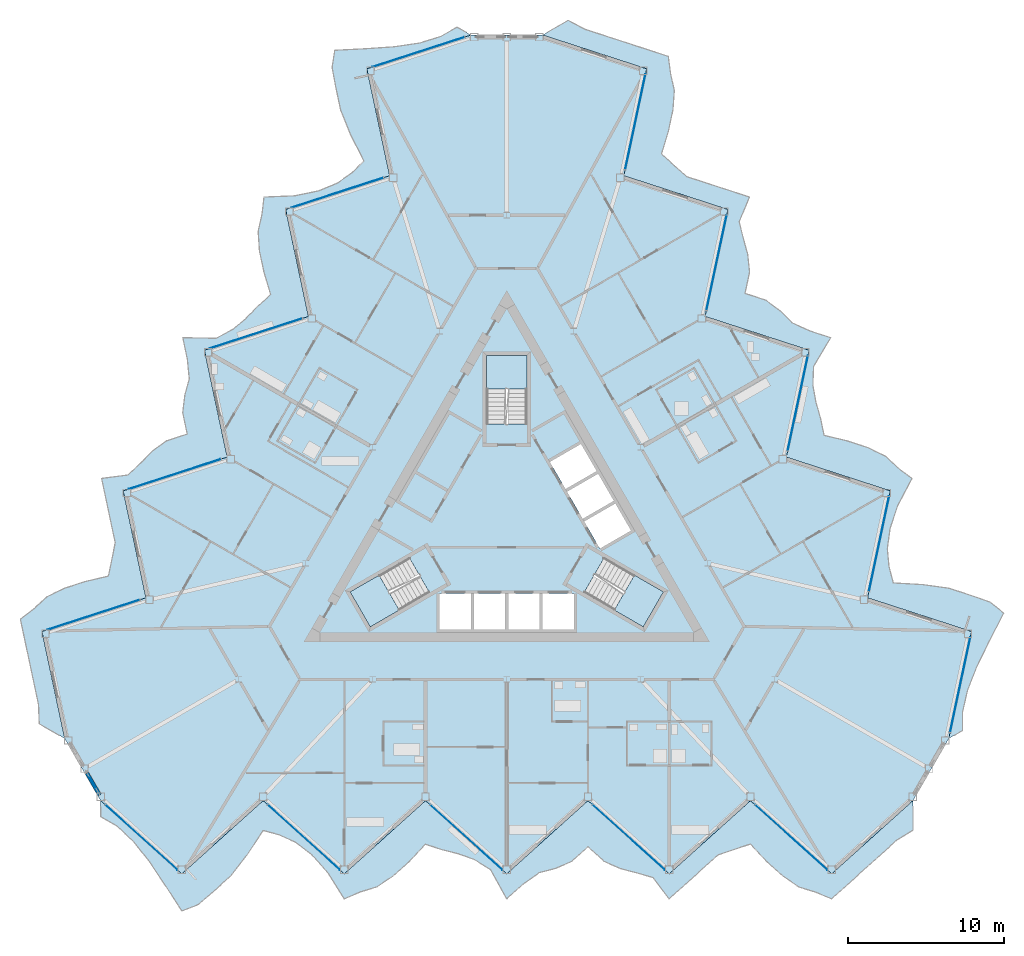
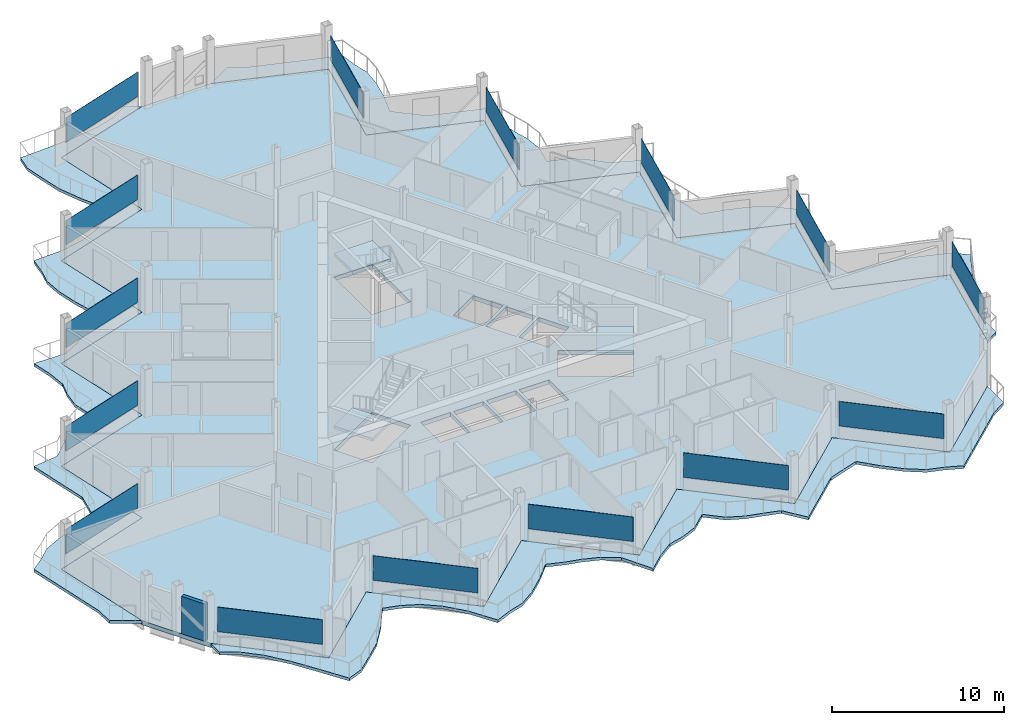
# One storey, part 11 of 25: 15 plates, 7 slabs, 1 wall, 18 elements without a shape of their own.
"""IFC4 building model written with IfcOpenShell, lengths in metres."""

from ifc_helpers import new_model, si_unit, direction, frame, frame_2d, origin, origin_2d, place, context, subcontext, project, spatial, polyline, rectangle, outline, extrude, material, layer, layer_set, type_object, element, aggregate, save


model = new_model("IFC4")

# Units and contexts
model_context = context("Model", 3, precision=1e-05, world=origin(), true_north=direction((0.0, 1.0)))
body_context = subcontext(model_context, "Body", "Model", "MODEL_VIEW")
ifc_project = project(units=[si_unit("LENGTHUNIT", "METRE"), si_unit("AREAUNIT", "SQUARE_METRE"), si_unit("VOLUMEUNIT", "CUBIC_METRE"), si_unit("PLANEANGLEUNIT", "RADIAN"), si_unit("MASSUNIT", "GRAM", prefix="KILO")], contexts=[model_context])

# Site, building, storey
site_placement = place(None, origin())
site = spatial("IfcSite", under=ifc_project, at=site_placement, CompositionType="ELEMENT")
building_placement = place(site_placement, origin())
building = spatial("IfcBuilding", under=site, at=building_placement, Name="Cormorant Prow Tower", CompositionType="ELEMENT")
storey_placement = place(building_placement, frame((0.0, 0.0, 391.60009765625)))
storey = spatial("IfcBuildingStorey", under=building, at=storey_placement, Name="L89", CompositionType="ELEMENT", Elevation=391.60009765625)

# Slabs
ifc_material_1 = material(Name="Concrete C40/50", Category="concrete")
ifc_layer_1 = layer(ifc_material_1, 0.199951171875)
ifc_layer_set_1 = layer_set([ifc_layer_1], Name="Concrete C40/50")
slab_type_1 = type_object("IfcSlabType", Name="Balcony slab 200", PredefinedType="FLOOR", material=ifc_layer_set_1)
slab_1_placement = place(storey_placement, frame((0.0, 0.0, -0.2001953125)))
element("IfcSlab", 1, at=slab_1_placement, inside=storey, type_object=slab_type_1, Name="Balcony slab S L89", PredefinedType="FLOOR", context=body_context, shape_type="SweptSolid", body=[
    extrude(outline(polyline([(-26.0, -17.664794921875), (-26.0, -18.680908203125), (-24.9599609375, -19.285888671875), (-23.919921875, -20.24853515625), (-22.8798828125, -21.5615234375), (-21.840087890625, -23.11376953125), (-20.800048828125, -24.72412109375), (-19.760009765625, -24.32080078125), (-18.719970703125, -23.424072265625), (-17.679931640625, -22.487548828125), (-16.639892578125, -21.15625), (-15.60009765625, -19.5673828125), (-14.56005859375, -19.8505859375), (-13.52001953125, -20.325439453125), (-12.47998046875, -21.127685546875), (-11.43994140625, -22.297119140625), (-10.39990234375, -23.94677734375), (-9.360107421875, -23.501708984375), (-8.320068359375, -23.182373046875), (-7.280029296875, -22.487548828125), (-6.239990234375, -21.55126953125), (-5.199951171875, -20.452392578125), (-4.159912109375, -20.79833984375), (-3.1201171875, -21.056884765625), (-2.080078125, -21.427490234375), (-1.0400390625, -22.076904296875), (0.0, -23.94677734375), (1.0400390625, -23.010498046875), (2.080078125, -22.268798828125), (3.1201171875, -21.99853515625), (4.159912109375, -21.55126953125), (5.199951171875, -20.61474609375), (6.239990234375, -21.55126953125), (7.280029296875, -22.0126953125), (8.320068359375, -22.28466796875), (9.360107421875, -22.5830078125), (10.39990234375, -23.94677734375), (11.43994140625, -23.010498046875), (12.47998046875, -22.073974609375), (13.52001953125, -21.1376953125), (14.56005859375, -20.782958984375), (15.60009765625, -20.441162109375), (16.639892578125, -21.55126953125), (17.679931640625, -22.487548828125), (18.719970703125, -23.194580078125), (19.760009765625, -23.517578125), (20.800048828125, -23.94677734375), (21.840087890625, -23.010498046875), (22.8798828125, -22.073974609375), (23.919921875, -21.1376953125), (24.9599609375, -20.201171875), (26.0, -19.551513671875), (26.0, -17.664794921875), (24.9599609375, -18.601318359375), (23.919921875, -19.53759765625), (22.8798828125, -20.47412109375), (21.840087890625, -21.410400390625), (20.800048828125, -22.346923828125), (19.760009765625, -21.410400390625), (18.719970703125, -20.47412109375), (17.679931640625, -19.53759765625), (16.639892578125, -18.601318359375), (15.60009765625, -17.664794921875), (14.56005859375, -18.601318359375), (13.52001953125, -19.53759765625), (12.47998046875, -20.47412109375), (11.43994140625, -21.410400390625), (10.39990234375, -22.346923828125), (9.360107421875, -21.410400390625), (8.320068359375, -20.47412109375), (7.280029296875, -19.53759765625), (6.239990234375, -18.601318359375), (5.199951171875, -17.664794921875), (4.159912109375, -18.601318359375), (3.1201171875, -19.53759765625), (2.080078125, -20.47412109375), (1.0400390625, -21.410400390625), (0.0, -22.346923828125), (-1.0400390625, -21.410400390625), (-2.080078125, -20.47412109375), (-3.1201171875, -19.53759765625), (-4.159912109375, -18.601318359375), (-5.199951171875, -17.664794921875), (-6.239990234375, -18.601318359375), (-7.280029296875, -19.53759765625), (-8.320068359375, -20.47412109375), (-9.360107421875, -21.410400390625), (-10.39990234375, -22.346923828125), (-11.43994140625, -21.410400390625), (-12.47998046875, -20.47412109375), (-13.52001953125, -19.53759765625), (-14.56005859375, -18.601318359375), (-15.60009765625, -17.664794921875), (-16.639892578125, -18.601318359375), (-17.679931640625, -19.53759765625), (-18.719970703125, -20.47412109375), (-19.760009765625, -21.410400390625), (-20.800048828125, -22.346923828125), (-21.840087890625, -21.410400390625), (-22.8798828125, -20.47412109375), (-23.919921875, -19.53759765625), (-24.9599609375, -18.601318359375), (-26.0, -17.664794921875)])), origin(), (0.0, 0.0, 1.0), 0.2001953125),
])
slab_2_placement = place(storey_placement, frame((0.0, 0.0, -0.2001953125)))
element("IfcSlab", 2, at=slab_2_placement, inside=storey, type_object=slab_type_1, Name="Balcony slab ENE L89", PredefinedType="FLOOR", context=body_context, shape_type="SweptSolid", body=[
    extrude(outline(polyline([(28.298095703125, -13.684326171875), (29.17822265625, -13.17626953125), (29.181884765625, -11.97314453125), (29.495849609375, -10.591064453125), (30.113037109375, -9.033935546875), (30.937255859375, -7.357177734375), (31.8115234375, -5.6513671875), (30.9423828125, -4.9521484375), (29.645751953125, -4.5), (28.31494140625, -4.067626953125), (26.641845703125, -3.83251953125), (24.745849609375, -3.726318359375), (24.47119140625, -2.68408203125), (24.3623046875, -1.5458984375), (24.537109375, -0.244140625), (25.02978515625, 1.2412109375), (25.938720703125, 2.966796875), (25.033203125, 3.64501953125), (24.236572265625, 4.385986328125), (23.11474609375, 4.939208984375), (21.783935546875, 5.37158203125), (20.312255859375, 5.722900390625), (20.092041015625, 6.796630859375), (19.7958984375, 7.826416015625), (19.5966796875, 8.912353515625), (19.63916015625, 10.1376953125), (20.738525390625, 11.973388671875), (19.40771484375, 12.406005859375), (18.245361328125, 12.935791015625), (17.4912109375, 13.701171875), (16.583984375, 14.378173828125), (15.2529296875, 14.810791015625), (15.5439453125, 16.1796875), (15.423583984375, 17.31103515625), (15.13916015625, 18.34765625), (14.87744140625, 19.3974609375), (15.53857421875, 20.980224609375), (14.207763671875, 21.41259765625), (12.876708984375, 21.844970703125), (11.545654296875, 22.277587890625), (10.718505859375, 23.000732421875), (9.902587890625, 23.73046875), (10.343994140625, 25.186279296875), (10.634765625, 26.55517578125), (10.72705078125, 27.809326171875), (10.48681640625, 28.871337890625), (10.338623046875, 29.98681640625), (9.007568359375, 30.419189453125), (7.6767578125, 30.851806640625), (6.345703125, 31.2841796875), (5.0146484375, 31.716552734375), (3.93212890625, 32.29248046875), (2.298095703125, 31.34912109375), (3.629150390625, 30.91650390625), (4.9599609375, 30.484130859375), (6.291015625, 30.0517578125), (7.6220703125, 29.619140625), (8.952880859375, 29.186767578125), (8.662109375, 27.81787109375), (8.37109375, 26.448974609375), (8.080078125, 25.080078125), (7.7890625, 23.711181640625), (7.498046875, 22.34228515625), (8.8291015625, 21.909912109375), (10.16015625, 21.4775390625), (11.490966796875, 21.044921875), (12.822021484375, 20.612548828125), (14.153076171875, 20.18017578125), (13.862060546875, 18.811279296875), (13.571044921875, 17.4423828125), (13.280029296875, 16.073486328125), (12.989013671875, 14.70458984375), (12.6982421875, 13.335693359375), (14.029052734375, 12.9033203125), (15.360107421875, 12.470703125), (16.691162109375, 12.038330078125), (18.02197265625, 11.60595703125), (19.35302734375, 11.17333984375), (19.06201171875, 9.8046875), (18.77099609375, 8.435791015625), (18.47998046875, 7.06689453125), (18.189208984375, 5.697998046875), (17.898193359375, 4.3291015625), (19.22900390625, 3.896484375), (20.56005859375, 3.464111328125), (21.89111328125, 3.03173828125), (23.221923828125, 2.59912109375), (24.552978515625, 2.166748046875), (24.261962890625, 0.7978515625), (23.970947265625, -0.571044921875), (23.68017578125, -1.93994140625), (23.38916015625, -3.308837890625), (23.09814453125, -4.677490234375), (24.42919921875, -5.110107421875), (25.760009765625, -5.54248046875), (27.091064453125, -5.974853515625), (28.422119140625, -6.407470703125), (29.7529296875, -6.83984375), (29.4619140625, -8.208740234375), (29.171142578125, -9.57763671875), (28.880126953125, -10.946533203125), (28.589111328125, -12.3154296875), (28.298095703125, -13.684326171875)])), origin(), (0.0, 0.0, 1.0), 0.2001953125),
])
slab_3_placement = place(storey_placement, frame((0.0, 0.0, -0.2001953125)))
element("IfcSlab", 3, at=slab_3_placement, inside=storey, type_object=slab_type_1, Name="Balcony slab WNW L89", PredefinedType="FLOOR", context=body_context, shape_type="SweptSolid", body=[
    extrude(outline(polyline([(-2.298095703125, 31.34912109375), (-3.17822265625, 31.857177734375), (-4.221923828125, 31.2587890625), (-5.575927734375, 30.839599609375), (-7.23291015625, 30.595458984375), (-9.09716796875, 30.470947265625), (-11.01171875, 30.375244140625), (-11.182373046875, 29.27294921875), (-10.92578125, 27.924072265625), (-10.634765625, 26.55517578125), (-10.001953125, 24.98876953125), (-9.14599609375, 23.293701171875), (-9.9111328125, 22.53466796875), (-10.84228515625, 21.871337890625), (-12.05712890625, 21.371826171875), (-13.58984375, 21.055908203125), (-15.53857421875, 20.980224609375), (-15.673095703125, 19.85693359375), (-15.91650390625, 18.796630859375), (-15.8349609375, 17.548583984375), (-15.5439453125, 16.1796875), (-15.1123046875, 14.7294921875), (-15.931884765625, 14.001953125), (-16.67578125, 13.23046875), (-17.516845703125, 12.51513671875), (-18.59912109375, 11.939208984375), (-20.738525390625, 11.973388671875), (-20.44775390625, 10.6044921875), (-20.325439453125, 9.3330078125), (-20.611328125, 8.297119140625), (-20.743896484375, 7.1728515625), (-20.452880859375, 5.803955078125), (-21.783935546875, 5.37158203125), (-22.70361328125, 4.70166015625), (-23.459228515625, 3.93701171875), (-24.237548828125, 3.185546875), (-25.938720703125, 2.966796875), (-25.647705078125, 1.597900390625), (-25.356689453125, 0.22900390625), (-25.065673828125, -1.139892578125), (-25.278564453125, -2.2177734375), (-25.50244140625, -3.28955078125), (-26.98388671875, -3.635009765625), (-28.31494140625, -4.067626953125), (-29.447021484375, -4.61474609375), (-30.246826171875, -5.353759765625), (-31.138671875, -6.039794921875), (-30.84765625, -7.40869140625), (-30.556640625, -8.777587890625), (-30.265625, -10.146484375), (-29.974853515625, -11.515380859375), (-29.93212890625, -12.740966796875), (-28.298095703125, -13.684326171875), (-28.589111328125, -12.3154296875), (-28.880126953125, -10.946533203125), (-29.171142578125, -9.57763671875), (-29.4619140625, -8.208740234375), (-29.7529296875, -6.83984375), (-28.422119140625, -6.407470703125), (-27.091064453125, -5.974853515625), (-25.760009765625, -5.54248046875), (-24.42919921875, -5.110107421875), (-23.09814453125, -4.677490234375), (-23.38916015625, -3.308837890625), (-23.68017578125, -1.93994140625), (-23.970947265625, -0.571044921875), (-24.261962890625, 0.7978515625), (-24.552978515625, 2.166748046875), (-23.221923828125, 2.59912109375), (-21.89111328125, 3.03173828125), (-20.56005859375, 3.464111328125), (-19.22900390625, 3.896484375), (-17.898193359375, 4.3291015625), (-18.189208984375, 5.697998046875), (-18.47998046875, 7.06689453125), (-18.77099609375, 8.435791015625), (-19.06201171875, 9.8046875), (-19.35302734375, 11.17333984375), (-18.02197265625, 11.60595703125), (-16.691162109375, 12.038330078125), (-15.360107421875, 12.470703125), (-14.029052734375, 12.9033203125), (-12.6982421875, 13.335693359375), (-12.989013671875, 14.70458984375), (-13.280029296875, 16.073486328125), (-13.571044921875, 17.4423828125), (-13.862060546875, 18.811279296875), (-14.153076171875, 20.18017578125), (-12.822021484375, 20.612548828125), (-11.490966796875, 21.044921875), (-10.16015625, 21.4775390625), (-8.8291015625, 21.909912109375), (-7.498046875, 22.34228515625), (-7.7890625, 23.711181640625), (-8.080078125, 25.080078125), (-8.37109375, 26.448974609375), (-8.662109375, 27.81787109375), (-8.952880859375, 29.186767578125), (-7.6220703125, 29.619140625), (-6.291015625, 30.0517578125), (-4.9599609375, 30.484130859375), (-3.629150390625, 30.91650390625), (-2.298095703125, 31.34912109375)])), origin(), (0.0, 0.0, 1.0), 0.2001953125),
])
ifc_material_2 = material(Name="Concrete C40/50", Category="concrete")
ifc_layer_2 = layer(ifc_material_2, 0.300048828125)
ifc_layer_set_2 = layer_set([ifc_layer_2], Name="Concrete C40/50")
slab_type_2 = type_object("IfcSlabType", Name="Post-tensioned flat slab 300", PredefinedType="FLOOR", material=ifc_layer_set_2)
slab_4_placement = place(storey_placement, frame((0.0, 0.0, -0.300048828125)))
element("IfcSlab", 4, at=slab_4_placement, inside=storey, type_object=slab_type_2, Name="Floor slab L89", PredefinedType="FLOOR", context=body_context, shape_type="SweptSolid", body=[
    extrude(outline(polyline([(-7.498046875, 22.34228515625), (-14.153076171875, 20.18017578125), (-12.6982421875, 13.335693359375), (-19.35302734375, 11.17333984375), (-17.898193359375, 4.3291015625), (-24.552978515625, 2.166748046875), (-23.09814453125, -4.677490234375), (-29.7529296875, -6.83984375), (-28.298095703125, -13.684326171875), (-27.149169921875, -15.674560546875), (-26.0, -17.664794921875), (-20.800048828125, -22.346923828125), (-15.60009765625, -17.664794921875), (-10.39990234375, -22.346923828125), (-5.199951171875, -17.664794921875), (0.0, -22.346923828125), (5.199951171875, -17.664794921875), (10.39990234375, -22.346923828125), (15.60009765625, -17.664794921875), (20.800048828125, -22.346923828125), (26.0, -17.664794921875), (27.149169921875, -15.674560546875), (28.298095703125, -13.684326171875), (29.7529296875, -6.83984375), (23.09814453125, -4.677490234375), (24.552978515625, 2.166748046875), (17.898193359375, 4.3291015625), (19.35302734375, 11.17333984375), (12.6982421875, 13.335693359375), (14.153076171875, 20.18017578125), (7.498046875, 22.34228515625), (8.952880859375, 29.186767578125), (2.298095703125, 31.34912109375), (0.0, 31.34912109375), (-2.298095703125, 31.34912109375), (-8.952880859375, 29.186767578125), (-7.498046875, 22.34228515625)]), holes=[polyline([(-4.300048828125, -4.39990234375), (-2.300048828125, -4.39990234375), (-2.300048828125, -6.699951171875), (-4.300048828125, -6.699951171875), (-4.300048828125, -4.39990234375)]), polyline([(-0.10009765625, -4.39990234375), (-0.10009765625, -6.699951171875), (-2.10009765625, -6.699951171875), (-2.10009765625, -4.39990234375), (-0.10009765625, -4.39990234375)]), polyline([(2.10009765625, -6.699951171875), (0.10009765625, -6.699951171875), (0.10009765625, -4.39990234375), (2.10009765625, -4.39990234375), (2.10009765625, -6.699951171875)]), polyline([(2.300048828125, -6.699951171875), (2.300048828125, -4.39990234375), (4.300048828125, -4.39990234375), (4.300048828125, -6.699951171875), (2.300048828125, -6.699951171875)]), polyline([(5.96044921875, -1.52392578125), (4.96044921875, 0.2080078125), (6.952392578125, 1.358154296875), (7.952392578125, -0.373779296875), (5.96044921875, -1.52392578125)]), polyline([(3.860595703125, 2.11328125), (5.852294921875, 3.263427734375), (6.852294921875, 1.53125), (4.860595703125, 0.38134765625), (3.860595703125, 2.11328125)]), polyline([(4.75244140625, 5.168701171875), (5.75244140625, 3.4365234375), (3.760498046875, 2.28662109375), (2.760498046875, 4.018798828125), (4.75244140625, 5.168701171875)]), polyline([(-4.947509765625, -4.3505859375), (-8.738037109375, -6.5390625), (-10.031982421875, -4.2978515625), (-6.241455078125, -2.109375), (-4.947509765625, -4.3505859375)]), polyline([(10.031982421875, -4.2978515625), (8.738037109375, -6.5390625), (4.947509765625, -4.3505859375), (6.241455078125, -2.109375), (10.031982421875, -4.2978515625)]), polyline([(1.2939453125, 10.8369140625), (1.2939453125, 6.459716796875), (-1.2939453125, 6.459716796875), (-1.2939453125, 10.8369140625), (1.2939453125, 10.8369140625)])]), origin(), (0.0, 0.0, 1.0), 0.300048828125),
])

# Curtain wall, plate
ifc_material_3 = material(Name="Aluminium 6063-T6", Category="aluminium")
ifc_layer_3 = layer(ifc_material_3, 0.159912109375)
ifc_layer_set_3 = layer_set([ifc_layer_3], Name="Aluminium 6063-T6")
curtain_wall_type = type_object("IfcCurtainWallType", Name="Residential unitised curtain wall 160", PredefinedType="NOTDEFINED", material=ifc_layer_set_3)
curtain_wall_1_placement = place(storey_placement, origin())
curtain_wall_1 = element("IfcCurtainWall", 5, at=curtain_wall_1_placement, inside=storey, type_object=curtain_wall_type, Name="Residential curtain wall S00", PredefinedType="NOTDEFINED")
ifc_material_4 = material(Name="Clear glass", Category="glass")
ifc_layer_4 = layer(ifc_material_4, 0.02392578125)
ifc_layer_set_4 = layer_set([ifc_layer_4], Name="Clear glass")
plate_type = type_object("IfcPlateType", Name="Residential glass panel 24", PredefinedType="CURTAIN_PANEL", material=ifc_layer_set_4)
plate_1_placement = place(storey_placement, frame((-23.38134765625, -20.0224609375, 0.89990234375), z_axis=(0.0, 0.0, 1.0), x_axis=(0.743144827638, -0.669130603959, 0.0)))
plate_1 = element("IfcPlate", 6, at=plate_1_placement, type_object=plate_type, Name="Residential glass panel S00", PredefinedType="CURTAIN_PANEL", context=body_context, shape_type="SweptSolid", body=[
    extrude(rectangle(XDim=6.21533203125, YDim=0.02392578125, at=origin_2d()), origin(), (0.0, 0.0, 1.0), 1.73388671875),
])
aggregate(curtain_wall_1, [plate_1])

curtain_wall_2_placement = place(storey_placement, origin())
curtain_wall_2 = element("IfcCurtainWall", 7, at=curtain_wall_2_placement, inside=storey, type_object=curtain_wall_type, Name="Residential curtain wall S02", PredefinedType="NOTDEFINED")
plate_2_placement = place(storey_placement, frame((-12.9814453125, -20.0224609375, 0.89990234375), z_axis=(0.0, 0.0, 1.0), x_axis=(0.743144827638, -0.669130603959, 0.0)))
plate_2 = element("IfcPlate", 8, at=plate_2_placement, type_object=plate_type, Name="Residential glass panel S02", PredefinedType="CURTAIN_PANEL", context=body_context, shape_type="SweptSolid", body=[
    extrude(rectangle(XDim=6.21533203125, YDim=0.02392578125, at=origin_2d()), origin(), (0.0, 0.0, 1.0), 1.73388671875),
])
aggregate(curtain_wall_2, [plate_2])

curtain_wall_3_placement = place(storey_placement, origin())
curtain_wall_3 = element("IfcCurtainWall", 9, at=curtain_wall_3_placement, inside=storey, type_object=curtain_wall_type, Name="Residential curtain wall S04", PredefinedType="NOTDEFINED")
plate_3_placement = place(storey_placement, frame((-2.58154296875, -20.0224609375, 0.89990234375), z_axis=(0.0, 0.0, 1.0), x_axis=(0.743144827638, -0.669130603959, 0.0)))
plate_3 = element("IfcPlate", 10, at=plate_3_placement, type_object=plate_type, Name="Residential glass panel S04", PredefinedType="CURTAIN_PANEL", context=body_context, shape_type="SweptSolid", body=[
    extrude(rectangle(XDim=6.21533203125, YDim=0.02392578125, at=origin_2d()), origin(), (0.0, 0.0, 1.0), 1.73388671875),
])
aggregate(curtain_wall_3, [plate_3])

curtain_wall_4_placement = place(storey_placement, origin())
curtain_wall_4 = element("IfcCurtainWall", 11, at=curtain_wall_4_placement, inside=storey, type_object=curtain_wall_type, Name="Residential curtain wall S06", PredefinedType="NOTDEFINED")
plate_4_placement = place(storey_placement, frame((7.818603515625, -20.0224609375, 0.89990234375), z_axis=(0.0, 0.0, 1.0), x_axis=(0.743144827638, -0.669130603959, 0.0)))
plate_4 = element("IfcPlate", 12, at=plate_4_placement, type_object=plate_type, Name="Residential glass panel S06", PredefinedType="CURTAIN_PANEL", context=body_context, shape_type="SweptSolid", body=[
    extrude(rectangle(XDim=6.21533203125, YDim=0.02392578125, at=origin_2d()), origin(), (0.0, 0.0, 1.0), 1.73388671875),
])
aggregate(curtain_wall_4, [plate_4])

curtain_wall_5_placement = place(storey_placement, origin())
curtain_wall_5 = element("IfcCurtainWall", 13, at=curtain_wall_5_placement, inside=storey, type_object=curtain_wall_type, Name="Residential curtain wall S08", PredefinedType="NOTDEFINED")
plate_5_placement = place(storey_placement, frame((18.218505859375, -20.0224609375, 0.89990234375), z_axis=(0.0, 0.0, 1.0), x_axis=(0.743144827638, -0.669130603959, 0.0)))
plate_5 = element("IfcPlate", 14, at=plate_5_placement, type_object=plate_type, Name="Residential glass panel S08", PredefinedType="CURTAIN_PANEL", context=body_context, shape_type="SweptSolid", body=[
    extrude(rectangle(XDim=6.21533203125, YDim=0.02392578125, at=origin_2d()), origin(), (0.0, 0.0, 1.0), 1.73388671875),
])
aggregate(curtain_wall_5, [plate_5])

curtain_wall_6_placement = place(storey_placement, origin())
curtain_wall_6 = element("IfcCurtainWall", 15, at=curtain_wall_6_placement, inside=storey, type_object=curtain_wall_type, Name="Residential curtain wall ENE00", PredefinedType="NOTDEFINED")
plate_6_placement = place(storey_placement, frame((29.03076171875, -10.237548828125, 0.89990234375), z_axis=(0.0, 0.0, 1.0), x_axis=(0.207911620089, 0.978147615768, 0.0)))
plate_6 = element("IfcPlate", 16, at=plate_6_placement, type_object=plate_type, Name="Residential glass panel ENE00", PredefinedType="CURTAIN_PANEL", context=body_context, shape_type="SweptSolid", body=[
    extrude(rectangle(XDim=6.21533203125, YDim=0.02392578125, at=origin_2d()), origin(), (0.0, 0.0, 1.0), 1.73388671875),
])
aggregate(curtain_wall_6, [plate_6])

curtain_wall_7_placement = place(storey_placement, origin())
curtain_wall_7 = element("IfcCurtainWall", 17, at=curtain_wall_7_placement, inside=storey, type_object=curtain_wall_type, Name="Residential curtain wall ENE02", PredefinedType="NOTDEFINED")
plate_7_placement = place(storey_placement, frame((23.830810546875, -1.23095703125, 0.89990234375), z_axis=(0.0, 0.0, 1.0), x_axis=(0.207911649162, 0.978147609588, 0.0)))
plate_7 = element("IfcPlate", 18, at=plate_7_placement, type_object=plate_type, Name="Residential glass panel ENE02", PredefinedType="CURTAIN_PANEL", context=body_context, shape_type="SweptSolid", body=[
    extrude(rectangle(XDim=6.21533203125, YDim=0.02392578125, at=origin_2d()), origin(), (0.0, 0.0, 1.0), 1.73388671875),
])
aggregate(curtain_wall_7, [plate_7])

curtain_wall_8_placement = place(storey_placement, origin())
curtain_wall_8 = element("IfcCurtainWall", 19, at=curtain_wall_8_placement, inside=storey, type_object=curtain_wall_type, Name="Residential curtain wall ENE04", PredefinedType="NOTDEFINED")
plate_8_placement = place(storey_placement, frame((18.630859375, 7.775634765625, 0.89990234375), z_axis=(0.0, 0.0, 1.0), x_axis=(0.207911649162, 0.978147609588, 0.0)))
plate_8 = element("IfcPlate", 20, at=plate_8_placement, type_object=plate_type, Name="Residential glass panel ENE04", PredefinedType="CURTAIN_PANEL", context=body_context, shape_type="SweptSolid", body=[
    extrude(rectangle(XDim=6.21533203125, YDim=0.02392578125, at=origin_2d()), origin(), (0.0, 0.0, 1.0), 1.73388671875),
])
aggregate(curtain_wall_8, [plate_8])

curtain_wall_9_placement = place(storey_placement, origin())
curtain_wall_9 = element("IfcCurtainWall", 21, at=curtain_wall_9_placement, inside=storey, type_object=curtain_wall_type, Name="Residential curtain wall ENE06", PredefinedType="NOTDEFINED")
plate_9_placement = place(storey_placement, frame((13.4306640625, 16.782470703125, 0.89990234375), z_axis=(0.0, 0.0, 1.0), x_axis=(0.207911620089, 0.978147615768, 0.0)))
plate_9 = element("IfcPlate", 22, at=plate_9_placement, type_object=plate_type, Name="Residential glass panel ENE06", PredefinedType="CURTAIN_PANEL", context=body_context, shape_type="SweptSolid", body=[
    extrude(rectangle(XDim=6.21533203125, YDim=0.02392578125, at=origin_2d()), origin(), (0.0, 0.0, 1.0), 1.73388671875),
])
aggregate(curtain_wall_9, [plate_9])

curtain_wall_10_placement = place(storey_placement, origin())
curtain_wall_10 = element("IfcCurtainWall", 23, at=curtain_wall_10_placement, inside=storey, type_object=curtain_wall_type, Name="Residential curtain wall ENE08", PredefinedType="NOTDEFINED")
plate_10_placement = place(storey_placement, frame((8.230712890625, 25.7890625, 0.89990234375), z_axis=(0.0, 0.0, 1.0), x_axis=(0.207911620089, 0.978147615768, 0.0)))
plate_10 = element("IfcPlate", 24, at=plate_10_placement, type_object=plate_type, Name="Residential glass panel ENE08", PredefinedType="CURTAIN_PANEL", context=body_context, shape_type="SweptSolid", body=[
    extrude(rectangle(XDim=6.21533203125, YDim=0.02392578125, at=origin_2d()), origin(), (0.0, 0.0, 1.0), 1.73388671875),
])
aggregate(curtain_wall_10, [plate_10])

curtain_wall_11_placement = place(storey_placement, origin())
curtain_wall_11 = element("IfcCurtainWall", 25, at=curtain_wall_11_placement, inside=storey, type_object=curtain_wall_type, Name="Residential curtain wall WNW00", PredefinedType="NOTDEFINED")
plate_11_placement = place(storey_placement, frame((-5.6494140625, 30.26025390625, 0.89990234375), z_axis=(0.0, 0.0, 1.0), x_axis=(-0.951056534902, -0.309016937108, 0.0)))
plate_11 = element("IfcPlate", 26, at=plate_11_placement, type_object=plate_type, Name="Residential glass panel WNW00", PredefinedType="CURTAIN_PANEL", context=body_context, shape_type="SweptSolid", body=[
    extrude(rectangle(XDim=6.21533203125, YDim=0.02392578125, at=origin_2d()), origin(), (0.0, 0.0, 1.0), 1.73388671875),
])
aggregate(curtain_wall_11, [plate_11])

curtain_wall_12_placement = place(storey_placement, origin())
curtain_wall_12 = element("IfcCurtainWall", 27, at=curtain_wall_12_placement, inside=storey, type_object=curtain_wall_type, Name="Residential curtain wall WNW02", PredefinedType="NOTDEFINED")
plate_12_placement = place(storey_placement, frame((-10.849365234375, 21.25341796875, 0.89990234375), z_axis=(0.0, 0.0, 1.0), x_axis=(-0.951056534902, -0.309016937108, 0.0)))
plate_12 = element("IfcPlate", 28, at=plate_12_placement, type_object=plate_type, Name="Residential glass panel WNW02", PredefinedType="CURTAIN_PANEL", context=body_context, shape_type="SweptSolid", body=[
    extrude(rectangle(XDim=6.21533203125, YDim=0.02392578125, at=origin_2d()), origin(), (0.0, 0.0, 1.0), 1.73388671875),
])
aggregate(curtain_wall_12, [plate_12])

curtain_wall_13_placement = place(storey_placement, origin())
curtain_wall_13 = element("IfcCurtainWall", 29, at=curtain_wall_13_placement, inside=storey, type_object=curtain_wall_type, Name="Residential curtain wall WNW04", PredefinedType="NOTDEFINED")
plate_13_placement = place(storey_placement, frame((-16.04931640625, 12.246826171875, 0.89990234375), z_axis=(0.0, 0.0, 1.0), x_axis=(-0.951056492904, -0.309017066365, 0.0)))
plate_13 = element("IfcPlate", 30, at=plate_13_placement, type_object=plate_type, Name="Residential glass panel WNW04", PredefinedType="CURTAIN_PANEL", context=body_context, shape_type="SweptSolid", body=[
    extrude(rectangle(XDim=6.21533203125, YDim=0.02392578125, at=origin_2d()), origin(), (0.0, 0.0, 1.0), 1.73388671875),
])
aggregate(curtain_wall_13, [plate_13])

curtain_wall_14_placement = place(storey_placement, origin())
curtain_wall_14 = element("IfcCurtainWall", 31, at=curtain_wall_14_placement, inside=storey, type_object=curtain_wall_type, Name="Residential curtain wall WNW06", PredefinedType="NOTDEFINED")
plate_14_placement = place(storey_placement, frame((-21.249267578125, 3.240234375, 0.89990234375), z_axis=(0.0, 0.0, 1.0), x_axis=(-0.951056492904, -0.309017066365, 0.0)))
plate_14 = element("IfcPlate", 32, at=plate_14_placement, type_object=plate_type, Name="Residential glass panel WNW06", PredefinedType="CURTAIN_PANEL", context=body_context, shape_type="SweptSolid", body=[
    extrude(rectangle(XDim=6.21533203125, YDim=0.02392578125, at=origin_2d()), origin(), (0.0, 0.0, 1.0), 1.73388671875),
])
aggregate(curtain_wall_14, [plate_14])

curtain_wall_15_placement = place(storey_placement, origin())
curtain_wall_15 = element("IfcCurtainWall", 33, at=curtain_wall_15_placement, inside=storey, type_object=curtain_wall_type, Name="Residential curtain wall WNW08", PredefinedType="NOTDEFINED")
plate_15_placement = place(storey_placement, frame((-26.44921875, -5.766357421875, 0.89990234375), z_axis=(0.0, 0.0, 1.0), x_axis=(-0.951056492904, -0.309017066365, 0.0)))
plate_15 = element("IfcPlate", 34, at=plate_15_placement, type_object=plate_type, Name="Residential glass panel WNW08", PredefinedType="CURTAIN_PANEL", context=body_context, shape_type="SweptSolid", body=[
    extrude(rectangle(XDim=6.21533203125, YDim=0.02392578125, at=origin_2d()), origin(), (0.0, 0.0, 1.0), 1.73388671875),
])
aggregate(curtain_wall_15, [plate_15])

# Stair, slab
ifc_material_5 = material(Name="Exit stair 18 risers")
stair_type = type_object("IfcStairType", Name="Exit stair 18 risers", PredefinedType="HALF_TURN_STAIR", material=ifc_material_5)
stair_1_placement = place(storey_placement, origin())
stair_1 = element("IfcStair", 35, at=stair_1_placement, inside=storey, type_object=stair_type, Name="L89 Exit stair ST1", PredefinedType="HALF_TURN_STAIR")
ifc_material_6 = material(Name="Concrete 5000 psi", Category="concrete")
ifc_layer_5 = layer(ifc_material_6, 0.199951171875)
ifc_layer_set_5 = layer_set([ifc_layer_5], Name="Concrete 5000 psi")
slab_type_3 = type_object("IfcSlabType", Name="Stair landing 200", PredefinedType="LANDING", material=ifc_layer_set_5)
slab_5_placement = place(storey_placement, frame((0.0, 0.0, 1.5)))
slab_5 = element("IfcSlab", 36, at=slab_5_placement, type_object=slab_type_3, Name="ST1 landing 1", PredefinedType="LANDING", context=body_context, shape_type="SweptSolid", body=[
    extrude(outline(polyline([(-8.17431640625, -3.225341796875), (-10.031982421875, -4.2978515625), (-8.738037109375, -6.5390625), (-6.88037109375, -5.466552734375), (-8.17431640625, -3.225341796875)])), origin(), (0.0, 0.0, 1.0), 0.199951171875),
])
aggregate(stair_1, [slab_5])

stair_2_placement = place(storey_placement, origin())
stair_2 = element("IfcStair", 37, at=stair_2_placement, inside=storey, type_object=stair_type, Name="L89 Exit stair ST2", PredefinedType="HALF_TURN_STAIR")
slab_6_placement = place(storey_placement, frame((0.0, 0.0, 1.5)))
slab_6 = element("IfcSlab", 38, at=slab_6_placement, type_object=slab_type_3, Name="ST2 landing 1", PredefinedType="LANDING", context=body_context, shape_type="SweptSolid", body=[
    extrude(outline(polyline([(6.88037109375, -5.466552734375), (8.738037109375, -6.5390625), (10.031982421875, -4.2978515625), (8.17431640625, -3.225341796875), (6.88037109375, -5.466552734375)])), origin(), (0.0, 0.0, 1.0), 0.199951171875),
])
aggregate(stair_2, [slab_6])

stair_3_placement = place(storey_placement, origin())
stair_3 = element("IfcStair", 39, at=stair_3_placement, inside=storey, type_object=stair_type, Name="L89 Exit stair ST3", PredefinedType="HALF_TURN_STAIR")
slab_7_placement = place(storey_placement, frame((0.0, 0.0, 1.5)))
slab_7 = element("IfcSlab", 40, at=slab_7_placement, type_object=slab_type_3, Name="ST3 landing 1", PredefinedType="LANDING", context=body_context, shape_type="SweptSolid", body=[
    extrude(outline(polyline([(1.2939453125, 8.69189453125), (1.2939453125, 10.8369140625), (-1.2939453125, 10.8369140625), (-1.2939453125, 8.69189453125), (1.2939453125, 8.69189453125)])), origin(), (0.0, 0.0, 1.0), 0.199951171875),
])
aggregate(stair_3, [slab_7])

# Wall
ifc_material_7 = material(Name="Terracotta", Category="masonry")
ifc_layer_6 = layer(ifc_material_7, 0.25)
ifc_layer_set_6 = layer_set([ifc_layer_6], Name="Terracotta")
wall_type = type_object("IfcWallType", Name="Terracotta bay wall 250", PredefinedType="SOLIDWALL", material=ifc_layer_set_6)
wall_placement = place(storey_placement, frame((-26.87353515625, -15.90185546875, 0.0), z_axis=(0.0, 0.0, 1.0), x_axis=(0.500017882314, -0.866015079179, 0.0)))
element("IfcWall", 41, at=wall_placement, inside=storey, type_object=wall_type, Name="Terracotta bay wall WSW01", PredefinedType="SOLIDWALL", context=body_context, shape_type="SweptSolid", body=[
    extrude(rectangle(XDim=1.59765625, YDim=0.25, at=frame_2d((0.798828125, 0.0))), origin(), (0.0, 0.0, 1.0), 2.6337890625),
])

save(model, "model.ifc")
